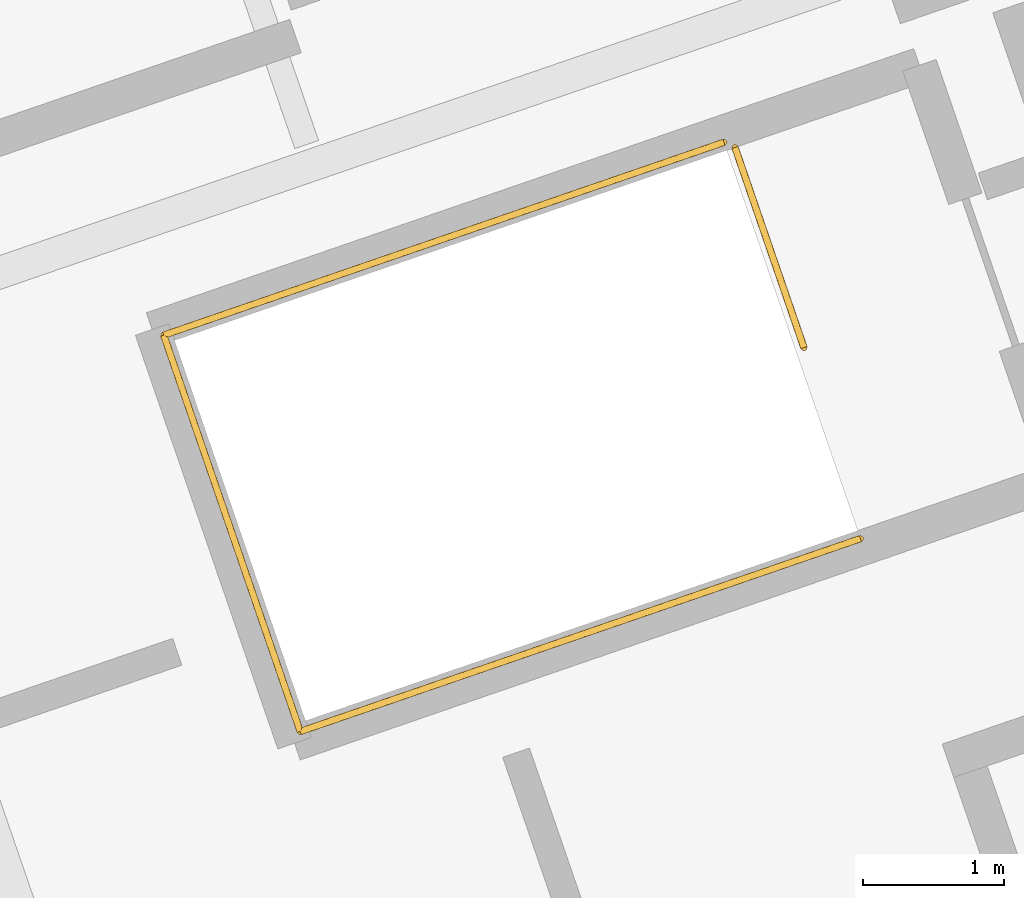
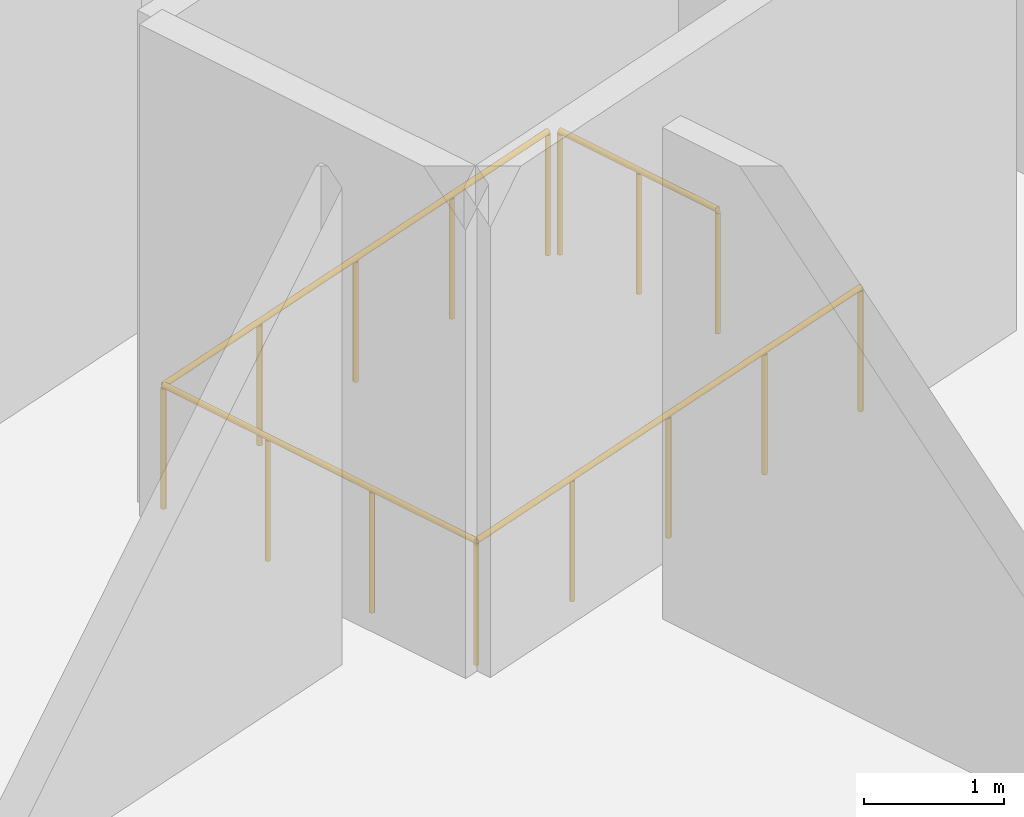
# One storey, part 20 of 20: 2 railings.
"""IFC4 building model written with IfcOpenShell, lengths in metres."""

import ifcopenshell
import ifcopenshell.guid

model = None  # the IFC model being written
_history = None  # IfcOwnerHistory: only IFC2X3 demands one
_inside = {}  # id of a spatial element -> (the spatial element, [elements in it])
_under = {}  # id of a project, library or spatial element -> (it, [spatial elements below it])
_declared = {}  # id of a project -> (the project, [libraries it declares])
_typed = {}  # id of a type object -> (the type object, [elements of that type])
_made_of = {}  # id of a material, layer set ... -> (it, [elements and type objects made of it])


def new_model(schema):
    """Start an empty IFC model of exactly this schema.

    Asked for "IFC4X3", IfcOpenShell would pick the latest addendum, in which some entities
    have other attributes; the version numbers below select the first issue.
    IFC2X3 requires an IfcOwnerHistory on every rooted entity: one is made here for all.
    """
    global model, _history
    if schema == "IFC4X3":
        model = ifcopenshell.file(schema_version=(4, 3, 0, 0))
    else:
        model = ifcopenshell.file(schema=schema)
    _inside.clear()
    _under.clear()
    _declared.clear()
    _typed.clear()
    _made_of.clear()
    _history = None
    if model.schema == "IFC2X3":
        org = make("IfcOrganization", Name="unknown")
        user = make(
            "IfcPersonAndOrganization",
            ThePerson=make("IfcPerson", FamilyName="unknown"),
            TheOrganization=org,
        )
        app = make(
            "IfcApplication",
            ApplicationDeveloper=org,
            Version="unknown",
            ApplicationFullName="unknown",
            ApplicationIdentifier="unknown",
        )
        _history = make(
            "IfcOwnerHistory",
            OwningUser=user,
            OwningApplication=app,
            ChangeAction="ADDED",
            CreationDate=0,
        )
    return model


def make(cls, **values):
    """One entity of the class cls with the attributes given. An attribute that is None is left unset."""
    return model.create_entity(
        cls, **{name: value for name, value in values.items() if value is not None}
    )


def rooted(cls, **values):
    """An entity with a GlobalId (a new one), such as an element, a storey or a relation."""
    return make(cls, GlobalId=ifcopenshell.guid.new(), OwnerHistory=_history, **values)


def si_unit(unit_type, name, prefix=None):
    """IfcSIUnit, for example si_unit("LENGTHUNIT", "METRE", prefix="MILLI")."""
    return make("IfcSIUnit", UnitType=unit_type, Prefix=prefix, Name=name)


def assignment(units):
    """IfcUnitAssignment: the units of a project."""
    return None if units is None else make("IfcUnitAssignment", Units=units)


def point(xyz):
    """IfcCartesianPoint."""
    return None if xyz is None else make("IfcCartesianPoint", Coordinates=xyz)


def direction(xyz):
    """IfcDirection."""
    return None if xyz is None else make("IfcDirection", DirectionRatios=xyz)


def frame(location, z_axis=None, x_axis=None):
    """IfcAxis2Placement3D, a coordinate frame: its origin and axes. An axis left out is left unset."""
    return make(
        "IfcAxis2Placement3D",
        Location=point(location),
        Axis=direction(z_axis),
        RefDirection=direction(x_axis),
    )


def frame_2d(location, x_axis=None):
    """IfcAxis2Placement2D, a coordinate frame in the plane: its origin and x axis."""
    return make(
        "IfcAxis2Placement2D", Location=point(location), RefDirection=direction(x_axis)
    )


def origin():
    """The frame at (0, 0, 0) with its axes left unset."""
    return frame((0.0, 0.0, 0.0))


def origin_2d():
    """The frame at (0, 0) in the plane with its x axis left unset."""
    return frame_2d((0.0, 0.0))


def place(relative_to, where):
    """IfcLocalPlacement: puts the frame where relative to a parent placement (None: the world)."""
    return make(
        "IfcLocalPlacement", PlacementRelTo=relative_to, RelativePlacement=where
    )


def context(
    kind, dimensions, precision=None, world=None, true_north=None, identifier=None
):
    """IfcGeometricRepresentationContext, for example the 3D "Model" context."""
    return make(
        "IfcGeometricRepresentationContext",
        ContextIdentifier=identifier,
        ContextType=kind,
        CoordinateSpaceDimension=dimensions,
        Precision=precision,
        WorldCoordinateSystem=world,
        TrueNorth=true_north,
    )


def subcontext(parent, identifier, kind, view, scale=None):
    """IfcGeometricRepresentationSubContext, for example "Body" below "Model"."""
    return make(
        "IfcGeometricRepresentationSubContext",
        ContextIdentifier=identifier,
        ContextType=kind,
        ParentContext=parent,
        TargetScale=scale,
        TargetView=view,
    )


def project(units=None, contexts=None):
    """IfcProject with its units and contexts."""
    return rooted(
        "IfcProject",
        Name="project",
        RepresentationContexts=contexts,
        UnitsInContext=assignment(units),
    )


def spatial(cls, under=None, at=None, **own):
    """A site, building, storey or space (cls), placed at a placement, below another one or the project."""
    s = rooted(cls, ObjectPlacement=at, **own)
    if under is not None:
        _under.setdefault(under.id(), (under, []))[1].append(s)
    return s


def profile(cls, at=None, kind="AREA", **sizes):
    """A parametric profile (cls). Its sizes go by their IFC names, for example OverallWidth=200.0."""
    return make(cls, ProfileType=kind, Position=at, **sizes)


def circle(**sizes):
    """IfcCircleProfileDef."""
    return profile("IfcCircleProfileDef", **sizes)


def extrude(swept, where, along, depth):
    """IfcExtrudedAreaSolid: the profile swept, set in the frame where, extruded along a direction by depth."""
    return make(
        "IfcExtrudedAreaSolid",
        SweptArea=swept,
        Position=where,
        ExtrudedDirection=direction(along),
        Depth=depth,
    )


def shape(context_of_items, identifier, shape_type, items):
    """IfcShapeRepresentation: the items that make up one representation, for example the "Body"."""
    return make(
        "IfcShapeRepresentation",
        ContextOfItems=context_of_items,
        RepresentationIdentifier=identifier,
        RepresentationType=shape_type,
        Items=items,
    )


def material(Name=None, Category=None):
    """IfcMaterial."""
    return make("IfcMaterial", Name=Name, Category=Category)


def made_of(thing, what):
    """Note that an element or type object is made of a material, layer set ...; save() writes the relation."""
    if what is not None:
        _made_of.setdefault(what.id(), (what, []))[1].append(thing)
    return thing


def type_object(cls, material=None, **own):
    """A type object (cls), such as IfcWallType, which elements share."""
    return made_of(rooted(cls, **own), material)


def element(
    cls,
    number,
    at=None,
    inside=None,
    cuts=None,
    type_object=None,
    material=None,
    context=None,
    identifier="Body",
    shape_type=None,
    held_by="IfcProductDefinitionShape",
    body=None,
    shapes=None,
    **own,
):
    """One element of the class cls, such as IfcWall. Its Tag is "e" and its number.

    at: its placement. inside: the storey or other place that contains it. cuts: it is an
    opening in that element (IfcRelVoidsElement). A single representation is given by context,
    identifier, shape_type and body (its items); several are given by shapes. held_by: the class
    of the entity that holds the representations. save() writes the other relations.
    """
    e = rooted(cls, Tag="e%d" % number, ObjectPlacement=at, **own)
    if body is not None:
        shapes = [shape(context, identifier, shape_type, body)]
    if shapes is not None:
        e.Representation = make(held_by, Representations=shapes)
    if inside is not None:
        _inside.setdefault(inside.id(), (inside, []))[1].append(e)
    if cuts is not None:
        rooted(
            "IfcRelVoidsElement", RelatingBuildingElement=cuts, RelatedOpeningElement=e
        )
    if type_object is not None:
        _typed.setdefault(type_object.id(), (type_object, []))[1].append(e)
    return made_of(e, material)


def aggregate(whole, parts):
    """IfcRelAggregates: a whole, such as a stair, and the parts it consists of."""
    return rooted("IfcRelAggregates", RelatingObject=whole, RelatedObjects=parts)


def save(model, path):
    """Write the relations noted so far, then the file.

    IfcRelAggregates (storeys below a building ...), IfcRelContainedInSpatialStructure (elements
    in a storey), IfcRelDefinesByType, IfcRelAssociatesMaterial and IfcRelDeclares: one each for
    every whole, place, type object, material and project.
    """
    for whole, parts in _under.values():
        aggregate(whole, parts)
    for where, things in _inside.values():
        rooted(
            "IfcRelContainedInSpatialStructure",
            RelatedElements=things,
            RelatingStructure=where,
        )
    for kind, things in _typed.values():
        rooted("IfcRelDefinesByType", RelatedObjects=things, RelatingType=kind)
    for what, things in _made_of.values():
        rooted("IfcRelAssociatesMaterial", RelatedObjects=things, RelatingMaterial=what)
    for by, libraries in _declared.values():
        rooted("IfcRelDeclares", RelatingContext=by, RelatedDefinitions=libraries)
    model.write(path)


model = new_model("IFC4")

# Units and contexts
model_context = context("Model", 3, precision=1e-05, world=origin(), true_north=direction((0.0, 1.0)))
body_context = subcontext(model_context, "Body", "Model", "MODEL_VIEW")
ifc_project = project(units=[si_unit("LENGTHUNIT", "METRE"), si_unit("AREAUNIT", "SQUARE_METRE"), si_unit("VOLUMEUNIT", "CUBIC_METRE"), si_unit("PLANEANGLEUNIT", "RADIAN"), si_unit("MASSUNIT", "GRAM", prefix="KILO")], contexts=[model_context])

# Site, building, storey
site_placement = place(None, origin())
site = spatial("IfcSite", under=ifc_project, at=site_placement, CompositionType="ELEMENT")
building_placement = place(site_placement, origin())
building = spatial("IfcBuilding", under=site, at=building_placement, Name="Cantera Rosa Tower", CompositionType="ELEMENT")
storey_placement = place(building_placement, frame((0.0, 0.0, 142.10009765625)))
storey = spatial("IfcBuildingStorey", under=building, at=storey_placement, Name="L30", CompositionType="ELEMENT", Elevation=142.10009765625)

# Railings
ifc_material = material(Name="Steel S355J2 (EN 10025-2)", Category="steel")
railing_type = type_object("IfcRailingType", Name="STAIR GUARD 1100", PredefinedType="GUARDRAIL", material=ifc_material)
railing_1_placement = place(storey_placement, frame((8.906982421875, 17.01953125, 0.0)))
element("IfcRailing", 1, at=railing_1_placement, inside=storey, type_object=railing_type, Name="L30 ST-21 top well guard 1", PredefinedType="GUARDRAIL", context=body_context, shape_type="SweptSolid", body=[
    extrude(circle(Radius=0.02392578125, at=origin_2d()), frame((0.0, 0.0, 1.076171875), z_axis=(0.325634578089, -0.945495701499, 0.0), x_axis=(0.945495701499, 0.325634578089, 0.0)), (0.0, 0.0, 1.0), 1.500244140625),
    extrude(circle(Radius=0.02099609375, at=origin_2d()), origin(), (0.0, 0.0, 1.0), 1.052001953125),
    extrude(circle(Radius=0.02099609375, at=origin_2d()), frame((0.244140625, -0.709228515625, 0.0)), (0.0, 0.0, 1.0), 1.052001953125),
    extrude(circle(Radius=0.02099609375, at=origin_2d()), frame((0.488525390625, -1.41845703125, 0.0)), (0.0, 0.0, 1.0), 1.052001953125),
])
railing_2_placement = place(storey_placement, frame((8.828857421875, 17.055908203125, 0.0)))
element("IfcRailing", 2, at=railing_2_placement, inside=storey, type_object=railing_type, Name="L30 ST-21 top well guard 2", PredefinedType="GUARDRAIL", context=body_context, shape_type="SweptSolid", body=[
    extrude(circle(Radius=0.02392578125, at=origin_2d()), frame((0.0, 0.0, 1.076171875), z_axis=(-0.945519978022, -0.325564081496, 0.0), x_axis=(0.325564081496, -0.945519978022, 0.0)), (0.0, 0.0, 1.0), 4.197998046875),
    extrude(circle(Radius=0.02392578125, at=origin_2d()), frame((-3.96923828125, -1.36669921875, 1.076171875), z_axis=(0.325608117645, -0.945504814226, 0.0), x_axis=(0.945504814226, 0.325608117645, 0.0)), (0.0, 0.0, 1.0), 2.969970703125),
    extrude(circle(Radius=0.02392578125, at=origin_2d()), frame((-3.002197265625, -4.1748046875, 1.076171875), z_axis=(0.945519978022, 0.325564081496, 0.0), x_axis=(-0.325564081496, 0.945519978022, 0.0)), (0.0, 0.0, 1.0), 4.197998046875),
    extrude(circle(Radius=0.02099609375, at=origin_2d()), origin(), (0.0, 0.0, 1.0), 1.052001953125),
    extrude(circle(Radius=0.02099609375, at=origin_2d()), frame((-0.9921875, -0.341796875, 0.0)), (0.0, 0.0, 1.0), 1.052001953125),
    extrude(circle(Radius=0.02099609375, at=origin_2d()), frame((-1.984619140625, -0.683349609375, 0.0)), (0.0, 0.0, 1.0), 1.052001953125),
    extrude(circle(Radius=0.02099609375, at=origin_2d()), frame((-2.97705078125, -1.02490234375, 0.0)), (0.0, 0.0, 1.0), 1.052001953125),
    extrude(circle(Radius=0.02099609375, at=origin_2d()), frame((-3.96923828125, -1.36669921875, 0.0)), (0.0, 0.0, 1.0), 1.052001953125),
    extrude(circle(Radius=0.02099609375, at=origin_2d()), frame((-3.64697265625, -2.302734375, 0.0)), (0.0, 0.0, 1.0), 1.052001953125),
    extrude(circle(Radius=0.02099609375, at=origin_2d()), frame((-3.324462890625, -3.23876953125, 0.0)), (0.0, 0.0, 1.0), 1.052001953125),
    extrude(circle(Radius=0.02099609375, at=origin_2d()), frame((-3.002197265625, -4.1748046875, 0.0)), (0.0, 0.0, 1.0), 1.052001953125),
    extrude(circle(Radius=0.02099609375, at=origin_2d()), frame((-2.009765625, -3.8330078125, 0.0)), (0.0, 0.0, 1.0), 1.052001953125),
    extrude(circle(Radius=0.02099609375, at=origin_2d()), frame((-1.017578125, -3.491455078125, 0.0)), (0.0, 0.0, 1.0), 1.052001953125),
    extrude(circle(Radius=0.02099609375, at=origin_2d()), frame((-0.025390625, -3.14990234375, 0.0)), (0.0, 0.0, 1.0), 1.052001953125),
    extrude(circle(Radius=0.02099609375, at=origin_2d()), frame((0.967041015625, -2.80810546875, 0.0)), (0.0, 0.0, 1.0), 1.052001953125),
])

save(model, "model.ifc")
